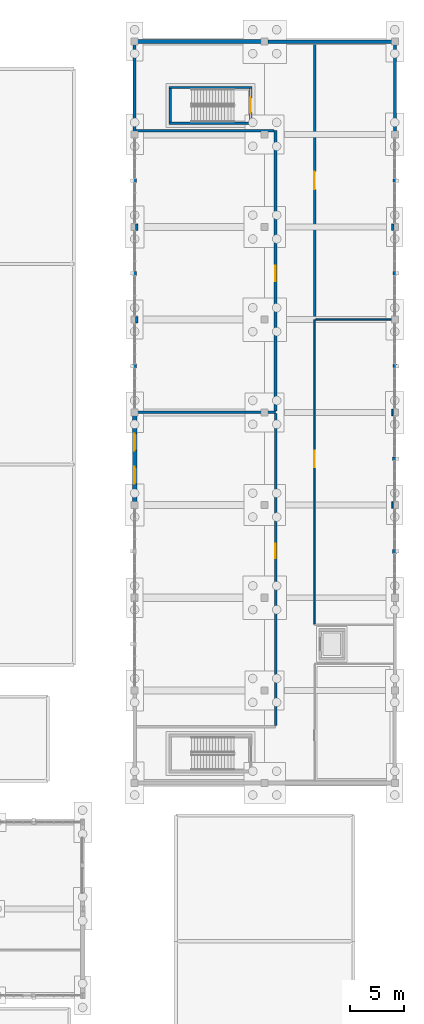
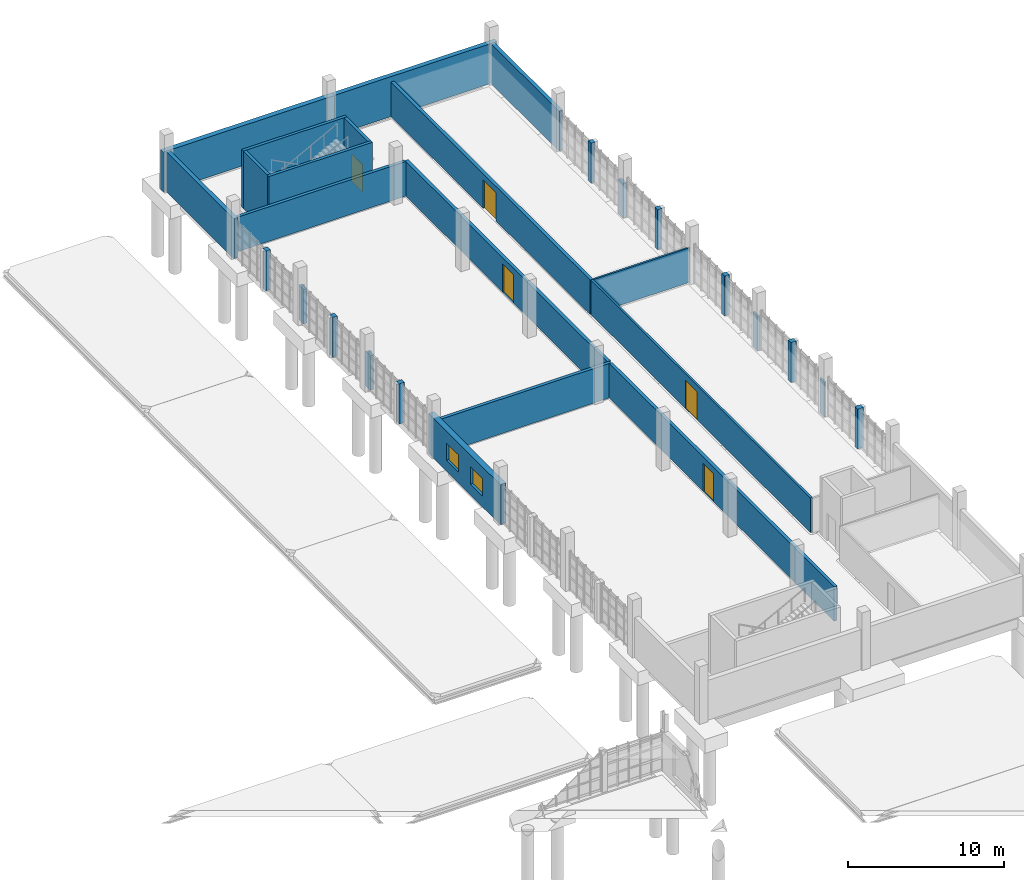
# One storey, part 107 of 125: 29 walls, 5 doors, 2 windows, 7 openings.
"""IFC4 building model written with IfcOpenShell, lengths in metres."""

from ifc_helpers import new_model, si_unit, direction, frame, frame_2d, origin, place, context, subcontext, project, spatial, rectangle, extrude, material, layer, layer_set, type_object, element, fill, save


model = new_model("IFC4")

# Units and contexts
model_context = context("Model", 3, precision=1e-05, world=origin(), true_north=direction((0.0, 1.0)))
body_context = subcontext(model_context, "Body", "Model", "MODEL_VIEW")
ifc_project = project(units=[si_unit("LENGTHUNIT", "METRE"), si_unit("AREAUNIT", "SQUARE_METRE"), si_unit("VOLUMEUNIT", "CUBIC_METRE"), si_unit("PLANEANGLEUNIT", "RADIAN"), si_unit("MASSUNIT", "GRAM", prefix="KILO")], contexts=[model_context])

# Site, building, storey
site_placement = place(None, origin())
site = spatial("IfcSite", under=ifc_project, at=site_placement, CompositionType="ELEMENT")
building_placement = place(site_placement, origin())
building = spatial("IfcBuilding", under=site, at=building_placement, Name="Serraforn Aerial Cableway Station", CompositionType="ELEMENT")
storey_placement = place(building_placement, frame((0.0, 0.0, 4.5)))
storey = spatial("IfcBuildingStorey", under=building, at=storey_placement, Name="L01", CompositionType="ELEMENT", Elevation=4.5)

# Wall, opening, door
ifc_material_1 = material(Name="Concrete C35/45", Category="concrete")
ifc_layer_1 = layer(ifc_material_1, 0.219970703125)
ifc_layer_set_1 = layer_set([ifc_layer_1], Name="Concrete C35/45")
wall_type_1 = type_object("IfcWallType", Name="WL-COR-220", PredefinedType="SHEAR", material=ifc_layer_set_1)
wall_1_placement = place(storey_placement, frame((154.7099609375, 109.659912109375, 0.0), z_axis=(0.0, 0.0, 1.0), x_axis=(0.0, -1.0, 0.0)))
wall_1 = element("IfcWall", 1, at=wall_1_placement, inside=storey, type_object=wall_type_1, Name="Stair Core Shear Wall WCOR-ST-11-L01-NEAR", PredefinedType="SHEAR", context=body_context, shape_type="SweptSolid", body=[
    extrude(rectangle(XDim=3.059814453125, YDim=0.219970703125, at=frame_2d((1.52978515625, 0.0))), origin(), (0.0, 0.0, 1.0), 4.5),
])
opening_1_placement = place(wall_1_placement, frame((0.85498046875, 0.0, 0.0)))
opening_1 = element("IfcOpeningElement", 2, at=opening_1_placement, cuts=wall_1, Name="Opening D-S37", PredefinedType="OPENING", context=body_context, shape_type="SweptSolid", body=[
    extrude(rectangle(XDim=1.35009765625, YDim=2.14990234375, at=frame_2d((0.675048828125, 1.074951171875))), frame((0.0, 0.119873046875, 0.0), z_axis=(0.0, -1.0, 0.0), x_axis=(1.0, 0.0, 0.0)), (0.0, 0.0, 1.0), 0.239990234375),
])
ifc_material_2 = material(Name="Self-closing steel stair fire door", Category="steel")
door_type_1 = type_object("IfcDoorType", Name="DR-STAIR-135", OperationType="NOTDEFINED", PredefinedType="DOOR", material=ifc_material_2)
door_1_placement = place(opening_1_placement, origin())
door_1 = element("IfcDoor", 3, at=door_1_placement, inside=storey, type_object=door_type_1, Name="Protected Stair Door D-S37", OperationType="SINGLE_SWING_RIGHT", OverallHeight=2.14990234375, OverallWidth=1.35009765625, PredefinedType="DOOR", context=body_context, shape_type="SweptSolid", body=[
    extrude(rectangle(XDim=1.35009765625, YDim=2.14990234375, at=frame_2d((0.675048828125, 1.074951171875))), frame((0.0, 0.02490234375, 0.0), z_axis=(0.0, -1.0, 0.0), x_axis=(1.0, 0.0, 0.0)), (0.0, 0.0, 1.0), 0.050048828125),
])
fill(opening_1, door_1)

# Walls
wall_2_placement = place(storey_placement, frame((147.2900390625, 109.659912109375, 0.0), z_axis=(0.0, 0.0, 1.0), x_axis=(0.0, -1.0, 0.0)))
element("IfcWall", 4, at=wall_2_placement, inside=storey, type_object=wall_type_1, Name="Stair Core Shear Wall WCOR-ST-11-L01-FAR", PredefinedType="SHEAR", context=body_context, shape_type="SweptSolid", body=[
    extrude(rectangle(XDim=3.059814453125, YDim=0.219970703125, at=frame_2d((1.52978515625, 0.0))), origin(), (0.0, 0.0, 1.0), 4.5),
])
for number, where, z_axis, x_axis, name in (
    (5, (154.820068359375, 109.77001953125, 0.0), (0.0, 0.0, 1.0), (-1.0, 0.0, 0.0), "Stair Core Shear Wall WCOR-ST-11-L01-L"),
    (6, (154.820068359375, 106.489990234375, 0.0), (0.0, 0.0, 1.0), (-1.0, 0.0, 0.0), "Stair Core Shear Wall WCOR-ST-11-L01-R"),
):
    element("IfcWall", number, at=place(storey_placement, frame(where, z_axis=z_axis, x_axis=x_axis)), inside=storey, type_object=wall_type_1, Name=name, PredefinedType="SHEAR", context=body_context, shape_type="SweptSolid", body=[
        extrude(rectangle(XDim=7.64013671875, YDim=0.219970703125, at=frame_2d((3.820068359375, 0.0))), origin(), (0.0, 0.0, 1.0), 4.5),
    ])
ifc_material_3 = material(Name="Insulated stuccoed terracotta facade", Category="masonry")
ifc_layer_2 = layer(ifc_material_3, 0.27490234375)
ifc_layer_set_2 = layer_set([ifc_layer_2], Name="Insulated stuccoed terracotta facade")
wall_type_2 = type_object("IfcWallType", Name="WL-EXT-275", PredefinedType="SOLIDWALL", material=ifc_layer_set_2)
wall_3_placement = place(storey_placement, frame((168.0, 105.125, 0.0), z_axis=(0.0, 0.0, 1.0), x_axis=(0.0, 1.0, 0.0)))
element("IfcWall", 7, at=wall_3_placement, inside=storey, type_object=wall_type_2, Name="Exterior Wall WEXT-EG-L01-E8", PredefinedType="SOLIDWALL", context=body_context, shape_type="SweptSolid", body=[
    extrude(rectangle(XDim=8.70654296875, YDim=0.27490234375, at=frame_2d((4.353271484375, 0.0))), origin(), (0.0, 0.0, 1.0), 3.1201171875),
])
ifc_material_4 = material(Name="Insulated fluted limestone rainscreen", Category="masonry")
ifc_layer_3 = layer(ifc_material_4, 0.2900390625)
ifc_layer_set_3 = layer_set([ifc_layer_3], Name="Insulated fluted limestone rainscreen")
wall_type_3 = type_object("IfcWallType", Name="WL-EXT-290", PredefinedType="SOLIDWALL", material=ifc_layer_set_3)
wall_4_placement = place(storey_placement, frame((144.0, 113.81640625, 0.0), z_axis=(0.0, 0.0, 1.0), x_axis=(0.0, -1.0, 0.0)))
element("IfcWall", 8, at=wall_4_placement, inside=storey, type_object=wall_type_3, Name="Exterior Wall WEXT-EG-L01-W8", PredefinedType="SOLIDWALL", context=body_context, shape_type="SweptSolid", body=[
    extrude(rectangle(XDim=8.69140625, YDim=0.2900390625, at=frame_2d((4.345703125, 0.0))), origin(), (0.0, 0.0, 1.0), 3.1201171875),
])
ifc_layer_4 = layer(ifc_material_4, 0.304931640625)
ifc_layer_set_4 = layer_set([ifc_layer_4], Name="Insulated fluted limestone rainscreen")
wall_type_4 = type_object("IfcWallType", Name="WL-EXT-305", PredefinedType="SOLIDWALL", material=ifc_layer_set_4)
wall_5_placement = place(storey_placement, frame((168.0, 100.9951171875, 0.0), z_axis=(0.0, 0.0, 1.0), x_axis=(0.0, 1.0, 0.0)))
element("IfcWall", 9, at=wall_5_placement, inside=storey, type_object=wall_type_4, Name="Exterior Wall WPIER-EG-L01-E7", PredefinedType="SOLIDWALL", context=body_context, shape_type="SweptSolid", body=[
    extrude(rectangle(XDim=0.35986328125, YDim=0.304931640625, at=frame_2d((0.179931640625, 0.0))), origin(), (0.0, 0.0, 1.0), 3.1201171875),
])
ifc_layer_5 = layer(ifc_material_4, 0.320068359375)
ifc_layer_set_5 = layer_set([ifc_layer_5], Name="Insulated fluted limestone rainscreen")
wall_type_5 = type_object("IfcWallType", Name="WL-EXT-320", PredefinedType="SOLIDWALL", material=ifc_layer_set_5)
wall_6_placement = place(storey_placement, frame((144.0, 101.35498046875, 0.0), z_axis=(0.0, 0.0, 1.0), x_axis=(0.0, -1.0, 0.0)))
element("IfcWall", 10, at=wall_6_placement, inside=storey, type_object=wall_type_5, Name="Exterior Wall WPIER-EG-L01-W7", PredefinedType="SOLIDWALL", context=body_context, shape_type="SweptSolid", body=[
    extrude(rectangle(XDim=0.35986328125, YDim=0.320068359375, at=frame_2d((0.179931640625, 0.0))), origin(), (0.0, 0.0, 1.0), 3.1201171875),
])
ifc_layer_6 = layer(ifc_material_4, 0.3349609375)
ifc_layer_set_6 = layer_set([ifc_layer_6], Name="Insulated fluted limestone rainscreen")
wall_type_6 = type_object("IfcWallType", Name="WL-EXT-335", PredefinedType="SOLIDWALL", material=ifc_layer_set_6)
wall_7_placement = place(storey_placement, frame((168.324951171875, 114.0, 0.0), z_axis=(0.0, 0.0, 1.0), x_axis=(-1.0, 0.0, 0.0)))
element("IfcWall", 11, at=wall_7_placement, inside=storey, type_object=wall_type_6, Name="Exterior Wall WEXT-EG-L01-N2", PredefinedType="SOLIDWALL", context=body_context, shape_type="SweptSolid", body=[
    extrude(rectangle(XDim=11.9990234375, YDim=0.3349609375, at=frame_2d((5.99951171875, 0.0))), origin(), (0.0, 0.0, 1.0), 3.1201171875),
])
wall_8_placement = place(storey_placement, frame((168.0, 92.445068359375, 0.0), z_axis=(0.0, 0.0, 1.0), x_axis=(0.0, 1.0, 0.0)))
element("IfcWall", 12, at=wall_8_placement, inside=storey, type_object=wall_type_6, Name="Exterior Wall WPIER-EG-L01-E6", PredefinedType="SOLIDWALL", context=body_context, shape_type="SweptSolid", body=[
    extrude(rectangle(XDim=0.35986328125, YDim=0.3349609375, at=frame_2d((0.179931640625, 0.0))), origin(), (0.0, 0.0, 1.0), 3.1201171875),
])
ifc_material_5 = material(Name="Montjuic sandstone ashlar masonry", Category="masonry")
ifc_layer_7 = layer(ifc_material_5, 0.35009765625)
ifc_layer_set_7 = layer_set([ifc_layer_7], Name="Montjuic sandstone ashlar masonry")
wall_type_7 = type_object("IfcWallType", Name="WL-EXT-350", PredefinedType="SOLIDWALL", material=ifc_layer_set_7)
wall_9_placement = place(storey_placement, frame((144.0, 92.804931640625, 0.0), z_axis=(0.0, 0.0, 1.0), x_axis=(0.0, -1.0, 0.0)))
element("IfcWall", 13, at=wall_9_placement, inside=storey, type_object=wall_type_7, Name="Exterior Wall WPIER-EG-L01-W6", PredefinedType="SOLIDWALL", context=body_context, shape_type="SweptSolid", body=[
    extrude(rectangle(XDim=0.35986328125, YDim=0.35009765625, at=frame_2d((0.179931640625, 0.0))), origin(), (0.0, 0.0, 1.0), 3.1201171875),
])
ifc_layer_8 = layer(ifc_material_5, 0.364990234375)
ifc_layer_set_8 = layer_set([ifc_layer_8], Name="Montjuic sandstone ashlar masonry")
wall_type_8 = type_object("IfcWallType", Name="WL-EXT-365", PredefinedType="SOLIDWALL", material=ifc_layer_set_8)
wall_10_placement = place(storey_placement, frame((156.324951171875, 114.0, 0.0), z_axis=(0.0, 0.0, 1.0), x_axis=(-1.0, 0.0, 0.0)))
element("IfcWall", 14, at=wall_10_placement, inside=storey, type_object=wall_type_8, Name="Exterior Wall WEXT-EG-L01-N1", PredefinedType="SOLIDWALL", context=body_context, shape_type="SweptSolid", body=[
    extrude(rectangle(XDim=12.64990234375, YDim=0.364990234375, at=frame_2d((6.324951171875, 0.0))), origin(), (0.0, 0.0, 1.0), 3.1201171875),
])
wall_11_placement = place(storey_placement, frame((168.0, 83.89501953125, 0.0), z_axis=(0.0, 0.0, 1.0), x_axis=(0.0, 1.0, 0.0)))
element("IfcWall", 15, at=wall_11_placement, inside=storey, type_object=wall_type_8, Name="Exterior Wall WPIER-EG-L01-E5", PredefinedType="SOLIDWALL", context=body_context, shape_type="SweptSolid", body=[
    extrude(rectangle(XDim=0.35986328125, YDim=0.364990234375, at=frame_2d((0.179931640625, 0.0))), origin(), (0.0, 0.0, 1.0), 3.1201171875),
])
ifc_layer_9 = layer(ifc_material_5, 0.3798828125)
ifc_layer_set_9 = layer_set([ifc_layer_9], Name="Montjuic sandstone ashlar masonry")
wall_type_9 = type_object("IfcWallType", Name="WL-EXT-380", PredefinedType="SOLIDWALL", material=ifc_layer_set_9)
wall_12_placement = place(storey_placement, frame((144.0, 84.2548828125, 0.0), z_axis=(0.0, 0.0, 1.0), x_axis=(0.0, -1.0, 0.0)))
element("IfcWall", 16, at=wall_12_placement, inside=storey, type_object=wall_type_9, Name="Exterior Wall WPIER-EG-L01-W5", PredefinedType="SOLIDWALL", context=body_context, shape_type="SweptSolid", body=[
    extrude(rectangle(XDim=0.35986328125, YDim=0.3798828125, at=frame_2d((0.179931640625, 0.0))), origin(), (0.0, 0.0, 1.0), 3.1201171875),
])
ifc_layer_10 = layer(ifc_material_5, 0.39990234375)
ifc_layer_set_10 = layer_set([ifc_layer_10], Name="Montjuic sandstone ashlar masonry")
wall_type_10 = type_object("IfcWallType", Name="WL-EXT-400", PredefinedType="SOLIDWALL", material=ifc_layer_set_10)
wall_13_placement = place(storey_placement, frame((168.0, 75.344970703125, 0.0), z_axis=(0.0, 0.0, 1.0), x_axis=(0.0, 1.0, 0.0)))
element("IfcWall", 17, at=wall_13_placement, inside=storey, type_object=wall_type_10, Name="Exterior Wall WPIER-EG-L01-E4", PredefinedType="SOLIDWALL", context=body_context, shape_type="SweptSolid", body=[
    extrude(rectangle(XDim=0.360107421875, YDim=0.39990234375, at=frame_2d((0.18017578125, 0.0))), origin(), (0.0, 0.0, 1.0), 3.1201171875),
])

# Wall, openings, windows
ifc_layer_11 = layer(ifc_material_5, 0.4150390625)
ifc_layer_set_11 = layer_set([ifc_layer_11], Name="Montjuic sandstone ashlar masonry")
wall_type_11 = type_object("IfcWallType", Name="WL-EXT-415", PredefinedType="SOLIDWALL", material=ifc_layer_set_11)
wall_14_placement = place(storey_placement, frame((144.0, 80.125, 0.0), z_axis=(0.0, 0.0, 1.0), x_axis=(0.0, -1.0, 0.0)))
wall_14 = element("IfcWall", 18, at=wall_14_placement, inside=storey, type_object=wall_type_11, Name="Exterior Wall WEXT-EG-L01-W4", PredefinedType="SOLIDWALL", context=body_context, shape_type="SweptSolid", body=[
    extrude(rectangle(XDim=9.199951171875, YDim=0.4150390625, at=frame_2d((4.60009765625, 0.0))), origin(), (0.0, 0.0, 1.0), 3.1201171875),
])
opening_2_placement = place(wall_14_placement, frame((2.291748046875, 0.0, 0.85009765625)))
opening_2 = element("IfcOpeningElement", 19, at=opening_2_placement, cuts=wall_14, Name="Opening W-16", PredefinedType="OPENING", context=body_context, shape_type="SweptSolid", body=[
    extrude(rectangle(XDim=1.550048828125, YDim=1.35009765625, at=frame_2d((0.77490234375, 0.675048828125))), frame((0.0, 0.217529296875, 0.0), z_axis=(0.0, -1.0, 0.0), x_axis=(1.0, 0.0, 0.0)), (0.0, 0.0, 1.0), 0.43505859375),
])
opening_3_placement = place(wall_14_placement, frame((5.3583984375, 0.0, 0.85009765625)))
opening_3 = element("IfcOpeningElement", 20, at=opening_3_placement, cuts=wall_14, Name="Opening W-16", PredefinedType="OPENING", context=body_context, shape_type="SweptSolid", body=[
    extrude(rectangle(XDim=1.550048828125, YDim=1.35009765625, at=frame_2d((0.77490234375, 0.675048828125))), frame((0.0, 0.217529296875, 0.0), z_axis=(0.0, -1.0, 0.0), x_axis=(1.0, 0.0, 0.0)), (0.0, 0.0, 1.0), 0.43505859375),
])
ifc_material_6 = material(Name="Anodised bronze aluminium and low-E double glazing", Category="aluminium")
window_type = type_object("IfcWindowType", Name="WIN-ART-16", PartitioningType="SINGLE_PANEL", PredefinedType="WINDOW", material=ifc_material_6)
window_1_placement = place(opening_2_placement, origin())
window_1 = element("IfcWindow", 21, at=window_1_placement, inside=storey, type_object=window_type, Name="Art Deco Window WEXT-EG-L01-W4-W1", OverallHeight=1.35009765625, OverallWidth=1.550048828125, PartitioningType="SINGLE_PANEL", PredefinedType="WINDOW", context=body_context, shape_type="SweptSolid", body=[
    extrude(rectangle(XDim=1.550048828125, YDim=1.35009765625, at=frame_2d((0.77490234375, 0.675048828125))), frame((0.0, 0.030029296875, 0.0), z_axis=(0.0, -1.0, 0.0), x_axis=(1.0, 0.0, 0.0)), (0.0, 0.0, 1.0), 0.06005859375),
])
fill(opening_2, window_1)
window_2_placement = place(opening_3_placement, origin())
window_2 = element("IfcWindow", 22, at=window_2_placement, inside=storey, type_object=window_type, Name="Art Deco Window WEXT-EG-L01-W4-W2", OverallHeight=1.35009765625, OverallWidth=1.550048828125, PartitioningType="SINGLE_PANEL", PredefinedType="WINDOW", context=body_context, shape_type="SweptSolid", body=[
    extrude(rectangle(XDim=1.550048828125, YDim=1.35009765625, at=frame_2d((0.77490234375, 0.675048828125))), frame((0.0, 0.030029296875, 0.0), z_axis=(0.0, -1.0, 0.0), x_axis=(1.0, 0.0, 0.0)), (0.0, 0.0, 1.0), 0.06005859375),
])
fill(opening_3, window_2)

# Walls
ifc_layer_12 = layer(ifc_material_5, 0.429931640625)
ifc_layer_set_12 = layer_set([ifc_layer_12], Name="Montjuic sandstone ashlar masonry")
wall_type_12 = type_object("IfcWallType", Name="WL-EXT-430", PredefinedType="SOLIDWALL", material=ifc_layer_set_12)
wall_15_placement = place(storey_placement, frame((168.0, 66.794921875, 0.0), z_axis=(0.0, 0.0, 1.0), x_axis=(0.0, 1.0, 0.0)))
element("IfcWall", 23, at=wall_15_placement, inside=storey, type_object=wall_type_12, Name="Exterior Wall WPIER-EG-L01-E3", PredefinedType="SOLIDWALL", context=body_context, shape_type="SweptSolid", body=[
    extrude(rectangle(XDim=0.360107421875, YDim=0.429931640625, at=frame_2d((0.18017578125, 0.0))), origin(), (0.0, 0.0, 1.0), 3.1201171875),
])
ifc_material_7 = material(Name="Concrete C30/37", Category="concrete")
ifc_layer_13 = layer(ifc_material_7, 0.241943359375)
ifc_layer_set_13 = layer_set([ifc_layer_13], Name="Concrete C30/37")
wall_type_13 = type_object("IfcWallType", Name="WL-FIR-242", PredefinedType="SOLIDWALL", material=ifc_layer_set_13)
wall_16_placement = place(storey_placement, frame((144.20849609375, 79.800048828125, 0.0), z_axis=(0.0, 0.0, 1.0), x_axis=(1.0, 0.0, 0.0)))
element("IfcWall", 24, at=wall_16_placement, inside=storey, type_object=wall_type_13, Name="Interior Partition WPRT-L01-15-140", PredefinedType="SOLIDWALL", context=body_context, shape_type="SweptSolid", body=[
    extrude(rectangle(XDim=12.79150390625, YDim=0.241943359375, at=frame_2d((6.395751953125, 0.0))), origin(), (0.0, 0.0, 1.0), 2.699951171875),
])
wall_17_placement = place(storey_placement, frame((144.199951171875, 96.596923828125, 0.0), z_axis=(0.0, 0.0, 1.0), x_axis=(0.0, 1.0, 0.0)))
element("IfcWall", 25, at=wall_17_placement, inside=storey, type_object=wall_type_13, Name="Interior Partition WPRT-L01-16-144", PredefinedType="SOLIDWALL", context=body_context, shape_type="SweptSolid", body=[
    extrude(rectangle(XDim=0.60595703125, YDim=0.241943359375, at=frame_2d((0.302978515625, 0.0))), origin(), (0.0, 0.0, 1.0), 2.699951171875),
])

# Wall, opening, door
wall_18_placement = place(storey_placement, frame((157.0, 105.800048828125, 0.0), z_axis=(0.0, 0.0, 1.0), x_axis=(0.0, -1.0, 0.0)))
wall_18 = element("IfcWall", 26, at=wall_18_placement, inside=storey, type_object=wall_type_13, Name="Interior Partition WPRT-L01-16-146", PredefinedType="SOLIDWALL", context=body_context, shape_type="SweptSolid", body=[
    extrude(rectangle(XDim=25.8779296875, YDim=0.241943359375, at=frame_2d((12.93896484375, 0.0))), origin(), (0.0, 0.0, 1.0), 2.699951171875),
])
opening_4_placement = place(wall_18_placement, frame((12.489990234375, 0.0, 0.0)))
opening_4 = element("IfcOpeningElement", 27, at=opening_4_placement, cuts=wall_18, Name="Opening DI-045", PredefinedType="OPENING", context=body_context, shape_type="SweptSolid", body=[
    extrude(rectangle(XDim=1.419921875, YDim=2.199951171875, at=frame_2d((0.7099609375, 1.10009765625))), frame((0.0, 0.130859375, 0.0), z_axis=(0.0, -1.0, 0.0), x_axis=(1.0, 0.0, 0.0)), (0.0, 0.0, 1.0), 0.261962890625),
])
ifc_material_8 = material(Name="Double-leaf fire-rated hall door")
door_type_2 = type_object("IfcDoorType", Name="DR-INT-142", OperationType="NOTDEFINED", PredefinedType="DOOR", material=ifc_material_8)
door_2_placement = place(opening_4_placement, origin())
door_2 = element("IfcDoor", 28, at=door_2_placement, inside=storey, type_object=door_type_2, Name="Room Door DI-045 (L01-16)", OperationType="SINGLE_SWING_RIGHT", OverallHeight=2.199951171875, OverallWidth=1.419921875, PredefinedType="DOOR", context=body_context, shape_type="SweptSolid", body=[
    extrude(rectangle(XDim=1.419921875, YDim=2.199951171875, at=frame_2d((0.7099609375, 1.10009765625))), frame((0.0, 0.02490234375, 0.0), z_axis=(0.0, -1.0, 0.0), x_axis=(1.0, 0.0, 0.0)), (0.0, 0.0, 1.0), 0.050048828125),
])
fill(opening_4, door_2)

wall_19_placement = place(storey_placement, frame((160.60009765625, 88.35009765625, 0.0), z_axis=(0.0, 0.0, 1.0), x_axis=(0.0, 1.0, 0.0)))
wall_19 = element("IfcWall", 29, at=wall_19_placement, inside=storey, type_object=wall_type_13, Name="Interior Partition WPRT-L01-18-152", PredefinedType="SOLIDWALL", context=body_context, shape_type="SweptSolid", body=[
    extrude(rectangle(XDim=25.4814453125, YDim=0.241943359375, at=frame_2d((12.74072265625, 0.0))), origin(), (0.0, 0.0, 1.0), 2.699951171875),
])
opening_5_placement = place(wall_19_placement, frame((12.030029296875, 0.0, 0.0)))
opening_5 = element("IfcOpeningElement", 30, at=opening_5_placement, cuts=wall_19, Name="Opening DI-047", PredefinedType="OPENING", context=body_context, shape_type="SweptSolid", body=[
    extrude(rectangle(XDim=1.639892578125, YDim=2.219970703125, at=frame_2d((0.81982421875, 1.10986328125))), frame((0.0, 0.130859375, 0.0), z_axis=(0.0, -1.0, 0.0), x_axis=(1.0, 0.0, 0.0)), (0.0, 0.0, 1.0), 0.261962890625),
])
ifc_material_9 = material(Name="Double-leaf glazed concourse door")
door_type_3 = type_object("IfcDoorType", Name="DR-INT-164", OperationType="NOTDEFINED", PredefinedType="DOOR", material=ifc_material_9)
door_3_placement = place(opening_5_placement, origin())
door_3 = element("IfcDoor", 31, at=door_3_placement, inside=storey, type_object=door_type_3, Name="Room Door DI-047 (L01-18)", OperationType="SINGLE_SWING_RIGHT", OverallHeight=2.219970703125, OverallWidth=1.639892578125, PredefinedType="DOOR", context=body_context, shape_type="SweptSolid", body=[
    extrude(rectangle(XDim=1.639892578125, YDim=2.219970703125, at=frame_2d((0.81982421875, 1.10986328125))), frame((0.0, 0.02490234375, 0.0), z_axis=(0.0, -1.0, 0.0), x_axis=(1.0, 0.0, 0.0)), (0.0, 0.0, 1.0), 0.050048828125),
])
fill(opening_5, door_3)

# Walls
ifc_material_10 = material(Name="Metal-stud gypsum partition")
ifc_layer_14 = layer(ifc_material_10, 0.1220703125)
ifc_layer_set_14 = layer_set([ifc_layer_14], Name="Metal-stud gypsum partition")
wall_type_14 = type_object("IfcWallType", Name="WL-PRT-122", PredefinedType="PARTITIONING", material=ifc_layer_set_14)
wall_20_placement = place(storey_placement, frame((167.800048828125, 71.552978515625, 0.0), z_axis=(0.0, 0.0, 1.0), x_axis=(0.0, -1.0, 0.0)))
element("IfcWall", 32, at=wall_20_placement, inside=storey, type_object=wall_type_14, Name="Interior Partition WPRT-L01-17-150", PredefinedType="PARTITIONING", context=body_context, shape_type="SweptSolid", body=[
    extrude(rectangle(XDim=0.60595703125, YDim=0.1220703125, at=frame_2d((0.302978515625, 0.0))), origin(), (0.0, 0.0, 1.0), 2.699951171875),
])
ifc_layer_15 = layer(ifc_material_10, 0.1298828125)
ifc_layer_set_15 = layer_set([ifc_layer_15], Name="Metal-stud gypsum partition")
wall_type_15 = type_object("IfcWallType", Name="WL-PRT-130", PredefinedType="PARTITIONING", material=ifc_layer_set_15)
wall_21_placement = place(storey_placement, frame((167.800048828125, 80.10302734375, 0.0), z_axis=(0.0, 0.0, 1.0), x_axis=(0.0, -1.0, 0.0)))
element("IfcWall", 33, at=wall_21_placement, inside=storey, type_object=wall_type_15, Name="Interior Partition WPRT-L01-17-149", PredefinedType="PARTITIONING", context=body_context, shape_type="SweptSolid", body=[
    extrude(rectangle(XDim=0.60595703125, YDim=0.1298828125, at=frame_2d((0.302978515625, 0.0))), origin(), (0.0, 0.0, 1.0), 2.699951171875),
])
ifc_material_11 = material(Name="Acoustic twin-stud gypsum partition")
ifc_layer_16 = layer(ifc_material_11, 0.139892578125)
ifc_layer_set_16 = layer_set([ifc_layer_16], Name="Acoustic twin-stud gypsum partition")
wall_type_16 = type_object("IfcWallType", Name="WL-PRT-140", PredefinedType="PARTITIONING", material=ifc_layer_set_16)
wall_22_placement = place(storey_placement, frame((160.721923828125, 88.35009765625, 0.0), z_axis=(0.0, 0.0, 1.0), x_axis=(1.0, 0.0, 0.0)))
element("IfcWall", 34, at=wall_22_placement, inside=storey, type_object=wall_type_16, Name="Interior Partition WPRT-L01-17-148", PredefinedType="PARTITIONING", context=body_context, shape_type="SweptSolid", body=[
    extrude(rectangle(XDim=7.078125, YDim=0.139892578125, at=frame_2d((3.5390625, 0.0))), origin(), (0.0, 0.0, 1.0), 2.699951171875),
])

# Wall, opening, door
ifc_layer_17 = layer(ifc_material_11, 0.14990234375)
ifc_layer_set_17 = layer_set([ifc_layer_17], Name="Acoustic twin-stud gypsum partition")
wall_type_17 = type_object("IfcWallType", Name="WL-PRT-150", PredefinedType="PARTITIONING", material=ifc_layer_set_17)
wall_23_placement = place(storey_placement, frame((160.60009765625, 60.260009765625, 0.0), z_axis=(0.0, 0.0, 1.0), x_axis=(0.0, 1.0, 0.0)))
wall_23 = element("IfcWall", 35, at=wall_23_placement, inside=storey, type_object=wall_type_17, Name="Interior Partition WPRT-L01-17-147", PredefinedType="PARTITIONING", context=body_context, shape_type="SweptSolid", body=[
    extrude(rectangle(XDim=28.090087890625, YDim=0.14990234375, at=frame_2d((14.044921875, 0.0))), origin(), (0.0, 0.0, 1.0), 2.699951171875),
])
opening_6_placement = place(wall_23_placement, frame((14.47998046875, 0.0, 0.0)))
opening_6 = element("IfcOpeningElement", 36, at=opening_6_placement, cuts=wall_23, Name="Opening DI-046", PredefinedType="OPENING", context=body_context, shape_type="SweptSolid", body=[
    extrude(rectangle(XDim=1.52001953125, YDim=2.199951171875, at=frame_2d((0.760009765625, 1.10009765625))), frame((0.0, 0.0849609375, 0.0), z_axis=(0.0, -1.0, 0.0), x_axis=(1.0, 0.0, 0.0)), (0.0, 0.0, 1.0), 0.169921875),
])
door_type_4 = type_object("IfcDoorType", Name="DR-INT-152", OperationType="NOTDEFINED", PredefinedType="DOOR", material=ifc_material_9)
door_4_placement = place(opening_6_placement, origin())
door_4 = element("IfcDoor", 37, at=door_4_placement, inside=storey, type_object=door_type_4, Name="Room Door DI-046 (L01-17)", OperationType="SINGLE_SWING_LEFT", OverallHeight=2.199951171875, OverallWidth=1.52001953125, PredefinedType="DOOR", context=body_context, shape_type="SweptSolid", body=[
    extrude(rectangle(XDim=1.52001953125, YDim=2.199951171875, at=frame_2d((0.760009765625, 1.10009765625))), frame((0.0, 0.02490234375, 0.0), z_axis=(0.0, -1.0, 0.0), x_axis=(1.0, 0.0, 0.0)), (0.0, 0.0, 1.0), 0.050048828125),
])
fill(opening_6, door_4)

ifc_material_12 = material(Name="Acoustic masonry blockwork", Category="masonry")
ifc_layer_18 = layer(ifc_material_12, 0.235107421875)
ifc_layer_set_18 = layer_set([ifc_layer_18], Name="Acoustic masonry blockwork")
wall_type_18 = type_object("IfcWallType", Name="WL-PRT-235", PredefinedType="PARTITIONING", material=ifc_layer_set_18)
wall_24_placement = place(storey_placement, frame((157.0, 79.677978515625, 0.0), z_axis=(0.0, 0.0, 1.0), x_axis=(0.0, -1.0, 0.0)))
wall_24 = element("IfcWall", 38, at=wall_24_placement, inside=storey, type_object=wall_type_18, Name="Interior Partition WPRT-L01-15-141", PredefinedType="PARTITIONING", context=body_context, shape_type="SweptSolid", body=[
    extrude(rectangle(XDim=28.755859375, YDim=0.235107421875, at=frame_2d((14.3779296875, 0.0))), origin(), (0.0, 0.0, 1.0), 2.699951171875),
])
opening_7_placement = place(wall_24_placement, frame((12.01806640625, 0.0, 0.0)))
opening_7 = element("IfcOpeningElement", 39, at=opening_7_placement, cuts=wall_24, Name="Opening DI-044", PredefinedType="OPENING", context=body_context, shape_type="SweptSolid", body=[
    extrude(rectangle(XDim=1.320068359375, YDim=2.199951171875, at=frame_2d((0.66015625, 1.10009765625))), frame((0.0, 0.12744140625, 0.0), z_axis=(0.0, -1.0, 0.0), x_axis=(1.0, 0.0, 0.0)), (0.0, 0.0, 1.0), 0.255126953125),
])
door_type_5 = type_object("IfcDoorType", Name="DR-INT-132", OperationType="NOTDEFINED", PredefinedType="DOOR", material=ifc_material_8)
door_5_placement = place(opening_7_placement, origin())
door_5 = element("IfcDoor", 40, at=door_5_placement, inside=storey, type_object=door_type_5, Name="Room Door DI-044 (L01-15)", OperationType="SINGLE_SWING_LEFT", OverallHeight=2.199951171875, OverallWidth=1.320068359375, PredefinedType="DOOR", context=body_context, shape_type="SweptSolid", body=[
    extrude(rectangle(XDim=1.320068359375, YDim=2.199951171875, at=frame_2d((0.66015625, 1.10009765625))), frame((0.0, 0.02490234375, 0.0), z_axis=(0.0, -1.0, 0.0), x_axis=(1.0, 0.0, 0.0)), (0.0, 0.0, 1.0), 0.050048828125),
])
fill(opening_7, door_5)

# Walls
wall_25_placement = place(storey_placement, frame((144.199951171875, 88.047119140625, 0.0), z_axis=(0.0, 0.0, 1.0), x_axis=(0.0, 1.0, 0.0)))
element("IfcWall", 41, at=wall_25_placement, inside=storey, type_object=wall_type_18, Name="Interior Partition WPRT-L01-16-143", PredefinedType="PARTITIONING", context=body_context, shape_type="SweptSolid", body=[
    extrude(rectangle(XDim=0.60595703125, YDim=0.235107421875, at=frame_2d((0.302978515625, 0.0))), origin(), (0.0, 0.0, 1.0), 2.699951171875),
])
wall_26_placement = place(storey_placement, frame((144.14599609375, 105.800048828125, 0.0), z_axis=(0.0, 0.0, 1.0), x_axis=(1.0, 0.0, 0.0)))
element("IfcWall", 42, at=wall_26_placement, inside=storey, type_object=wall_type_18, Name="Interior Partition WPRT-L01-16-145", PredefinedType="PARTITIONING", context=body_context, shape_type="SweptSolid", body=[
    extrude(rectangle(XDim=12.73193359375, YDim=0.235107421875, at=frame_2d((6.365966796875, 0.0))), origin(), (0.0, 0.0, 1.0), 2.699951171875),
])
wall_27_placement = place(storey_placement, frame((167.800048828125, 97.202880859375, 0.0), z_axis=(0.0, 0.0, 1.0), x_axis=(0.0, -1.0, 0.0)))
element("IfcWall", 43, at=wall_27_placement, inside=storey, type_object=wall_type_18, Name="Interior Partition WPRT-L01-18-153", PredefinedType="PARTITIONING", context=body_context, shape_type="SweptSolid", body=[
    extrude(rectangle(XDim=0.60595703125, YDim=0.235107421875, at=frame_2d((0.302978515625, 0.0))), origin(), (0.0, 0.0, 1.0), 2.699951171875),
])

save(model, "model.ifc")
